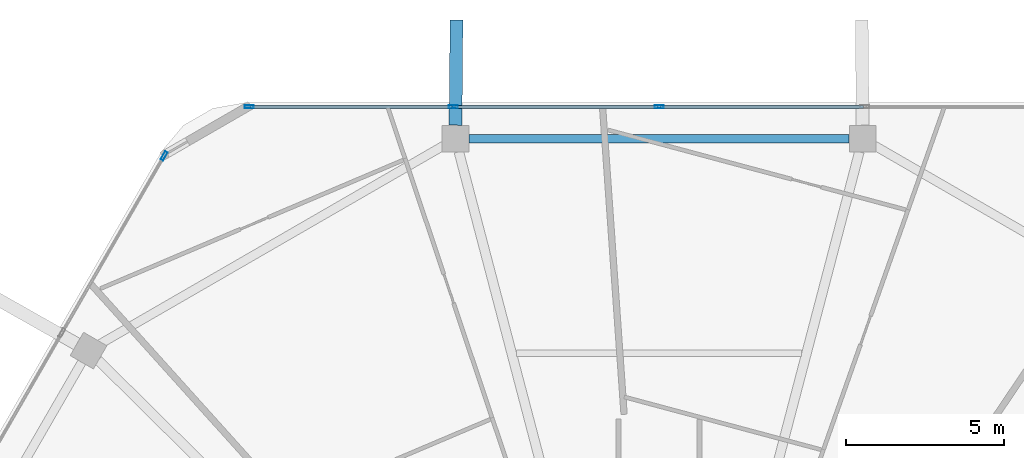
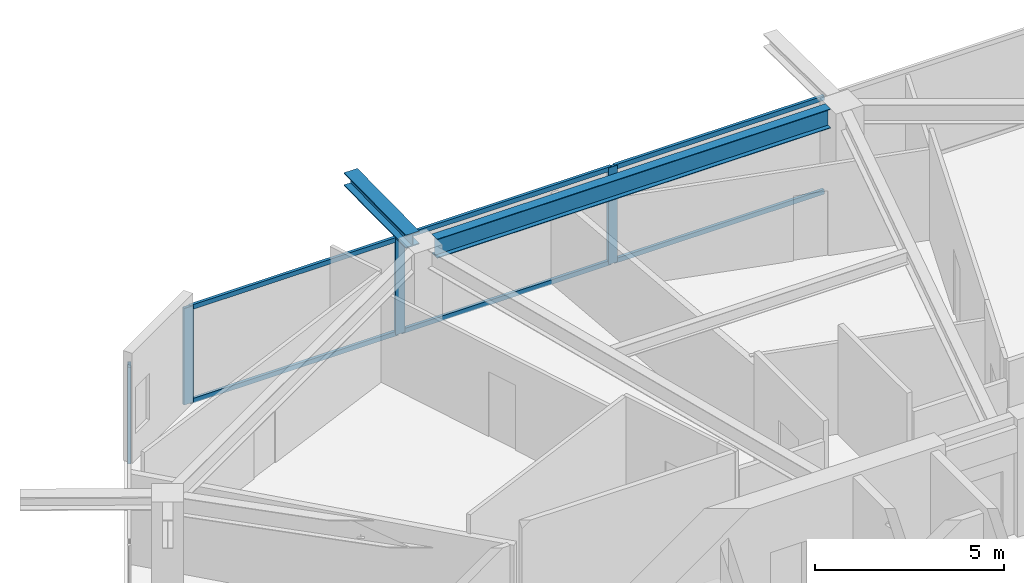
# One storey, part 13 of 26: 10 members, 2 beams, 2 elements without a shape of their own.
"""IFC4 building model written with IfcOpenShell, lengths in metres."""

import ifcopenshell
import ifcopenshell.guid

model = None  # the IFC model being written
_history = None  # IfcOwnerHistory: only IFC2X3 demands one
_inside = {}  # id of a spatial element -> (the spatial element, [elements in it])
_under = {}  # id of a project, library or spatial element -> (it, [spatial elements below it])
_declared = {}  # id of a project -> (the project, [libraries it declares])
_typed = {}  # id of a type object -> (the type object, [elements of that type])
_made_of = {}  # id of a material, layer set ... -> (it, [elements and type objects made of it])


def new_model(schema):
    """Start an empty IFC model of exactly this schema.

    Asked for "IFC4X3", IfcOpenShell would pick the latest addendum, in which some entities
    have other attributes; the version numbers below select the first issue.
    IFC2X3 requires an IfcOwnerHistory on every rooted entity: one is made here for all.
    """
    global model, _history
    if schema == "IFC4X3":
        model = ifcopenshell.file(schema_version=(4, 3, 0, 0))
    else:
        model = ifcopenshell.file(schema=schema)
    _inside.clear()
    _under.clear()
    _declared.clear()
    _typed.clear()
    _made_of.clear()
    _history = None
    if model.schema == "IFC2X3":
        org = make("IfcOrganization", Name="unknown")
        user = make(
            "IfcPersonAndOrganization",
            ThePerson=make("IfcPerson", FamilyName="unknown"),
            TheOrganization=org,
        )
        app = make(
            "IfcApplication",
            ApplicationDeveloper=org,
            Version="unknown",
            ApplicationFullName="unknown",
            ApplicationIdentifier="unknown",
        )
        _history = make(
            "IfcOwnerHistory",
            OwningUser=user,
            OwningApplication=app,
            ChangeAction="ADDED",
            CreationDate=0,
        )
    return model


def make(cls, **values):
    """One entity of the class cls with the attributes given. An attribute that is None is left unset."""
    return model.create_entity(
        cls, **{name: value for name, value in values.items() if value is not None}
    )


def rooted(cls, **values):
    """An entity with a GlobalId (a new one), such as an element, a storey or a relation."""
    return make(cls, GlobalId=ifcopenshell.guid.new(), OwnerHistory=_history, **values)


def si_unit(unit_type, name, prefix=None):
    """IfcSIUnit, for example si_unit("LENGTHUNIT", "METRE", prefix="MILLI")."""
    return make("IfcSIUnit", UnitType=unit_type, Prefix=prefix, Name=name)


def assignment(units):
    """IfcUnitAssignment: the units of a project."""
    return None if units is None else make("IfcUnitAssignment", Units=units)


def point(xyz):
    """IfcCartesianPoint."""
    return None if xyz is None else make("IfcCartesianPoint", Coordinates=xyz)


def direction(xyz):
    """IfcDirection."""
    return None if xyz is None else make("IfcDirection", DirectionRatios=xyz)


def frame(location, z_axis=None, x_axis=None):
    """IfcAxis2Placement3D, a coordinate frame: its origin and axes. An axis left out is left unset."""
    return make(
        "IfcAxis2Placement3D",
        Location=point(location),
        Axis=direction(z_axis),
        RefDirection=direction(x_axis),
    )


def frame_2d(location, x_axis=None):
    """IfcAxis2Placement2D, a coordinate frame in the plane: its origin and x axis."""
    return make(
        "IfcAxis2Placement2D", Location=point(location), RefDirection=direction(x_axis)
    )


def origin():
    """The frame at (0, 0, 0) with its axes left unset."""
    return frame((0.0, 0.0, 0.0))


def origin_2d():
    """The frame at (0, 0) in the plane with its x axis left unset."""
    return frame_2d((0.0, 0.0))


def place(relative_to, where):
    """IfcLocalPlacement: puts the frame where relative to a parent placement (None: the world)."""
    return make(
        "IfcLocalPlacement", PlacementRelTo=relative_to, RelativePlacement=where
    )


def context(
    kind, dimensions, precision=None, world=None, true_north=None, identifier=None
):
    """IfcGeometricRepresentationContext, for example the 3D "Model" context."""
    return make(
        "IfcGeometricRepresentationContext",
        ContextIdentifier=identifier,
        ContextType=kind,
        CoordinateSpaceDimension=dimensions,
        Precision=precision,
        WorldCoordinateSystem=world,
        TrueNorth=true_north,
    )


def subcontext(parent, identifier, kind, view, scale=None):
    """IfcGeometricRepresentationSubContext, for example "Body" below "Model"."""
    return make(
        "IfcGeometricRepresentationSubContext",
        ContextIdentifier=identifier,
        ContextType=kind,
        ParentContext=parent,
        TargetScale=scale,
        TargetView=view,
    )


def project(units=None, contexts=None):
    """IfcProject with its units and contexts."""
    return rooted(
        "IfcProject",
        Name="project",
        RepresentationContexts=contexts,
        UnitsInContext=assignment(units),
    )


def spatial(cls, under=None, at=None, **own):
    """A site, building, storey or space (cls), placed at a placement, below another one or the project."""
    s = rooted(cls, ObjectPlacement=at, **own)
    if under is not None:
        _under.setdefault(under.id(), (under, []))[1].append(s)
    return s


def profile(cls, at=None, kind="AREA", **sizes):
    """A parametric profile (cls). Its sizes go by their IFC names, for example OverallWidth=200.0."""
    return make(cls, ProfileType=kind, Position=at, **sizes)


def hollow_rectangle(**sizes):
    """IfcRectangleHollowProfileDef."""
    return profile("IfcRectangleHollowProfileDef", **sizes)


def i_section(**sizes):
    """IfcIShapeProfileDef."""
    return profile("IfcIShapeProfileDef", **sizes)


def extrude(swept, where, along, depth):
    """IfcExtrudedAreaSolid: the profile swept, set in the frame where, extruded along a direction by depth."""
    return make(
        "IfcExtrudedAreaSolid",
        SweptArea=swept,
        Position=where,
        ExtrudedDirection=direction(along),
        Depth=depth,
    )


def shape(context_of_items, identifier, shape_type, items):
    """IfcShapeRepresentation: the items that make up one representation, for example the "Body"."""
    return make(
        "IfcShapeRepresentation",
        ContextOfItems=context_of_items,
        RepresentationIdentifier=identifier,
        RepresentationType=shape_type,
        Items=items,
    )


def material(Name=None, Category=None):
    """IfcMaterial."""
    return make("IfcMaterial", Name=Name, Category=Category)


def material_profile(
    of_material, cross_section, Name=None, Category=None, Priority=None
):
    """IfcMaterialProfile: a cross section and its material."""
    return make(
        "IfcMaterialProfile",
        Name=Name,
        Material=of_material,
        Profile=cross_section,
        Priority=Priority,
        Category=Category,
    )


def profile_set(profiles, Name=None, composite=None):
    """IfcMaterialProfileSet."""
    return make(
        "IfcMaterialProfileSet",
        Name=Name,
        MaterialProfiles=profiles,
        CompositeProfile=composite,
    )


def made_of(thing, what):
    """Note that an element or type object is made of a material, layer set ...; save() writes the relation."""
    if what is not None:
        _made_of.setdefault(what.id(), (what, []))[1].append(thing)
    return thing


def type_object(cls, material=None, **own):
    """A type object (cls), such as IfcWallType, which elements share."""
    return made_of(rooted(cls, **own), material)


def element(
    cls,
    number,
    at=None,
    inside=None,
    cuts=None,
    type_object=None,
    material=None,
    context=None,
    identifier="Body",
    shape_type=None,
    held_by="IfcProductDefinitionShape",
    body=None,
    shapes=None,
    **own,
):
    """One element of the class cls, such as IfcWall. Its Tag is "e" and its number.

    at: its placement. inside: the storey or other place that contains it. cuts: it is an
    opening in that element (IfcRelVoidsElement). A single representation is given by context,
    identifier, shape_type and body (its items); several are given by shapes. held_by: the class
    of the entity that holds the representations. save() writes the other relations.
    """
    e = rooted(cls, Tag="e%d" % number, ObjectPlacement=at, **own)
    if body is not None:
        shapes = [shape(context, identifier, shape_type, body)]
    if shapes is not None:
        e.Representation = make(held_by, Representations=shapes)
    if inside is not None:
        _inside.setdefault(inside.id(), (inside, []))[1].append(e)
    if cuts is not None:
        rooted(
            "IfcRelVoidsElement", RelatingBuildingElement=cuts, RelatedOpeningElement=e
        )
    if type_object is not None:
        _typed.setdefault(type_object.id(), (type_object, []))[1].append(e)
    return made_of(e, material)


def aggregate(whole, parts):
    """IfcRelAggregates: a whole, such as a stair, and the parts it consists of."""
    return rooted("IfcRelAggregates", RelatingObject=whole, RelatedObjects=parts)


def save(model, path):
    """Write the relations noted so far, then the file.

    IfcRelAggregates (storeys below a building ...), IfcRelContainedInSpatialStructure (elements
    in a storey), IfcRelDefinesByType, IfcRelAssociatesMaterial and IfcRelDeclares: one each for
    every whole, place, type object, material and project.
    """
    for whole, parts in _under.values():
        aggregate(whole, parts)
    for where, things in _inside.values():
        rooted(
            "IfcRelContainedInSpatialStructure",
            RelatedElements=things,
            RelatingStructure=where,
        )
    for kind, things in _typed.values():
        rooted("IfcRelDefinesByType", RelatedObjects=things, RelatingType=kind)
    for what, things in _made_of.values():
        rooted("IfcRelAssociatesMaterial", RelatedObjects=things, RelatingMaterial=what)
    for by, libraries in _declared.values():
        rooted("IfcRelDeclares", RelatingContext=by, RelatedDefinitions=libraries)
    model.write(path)


model = new_model("IFC4")

# Units and contexts
model_context = context("Model", 3, precision=1e-05, world=origin(), true_north=direction((0.0, 1.0)))
body_context = subcontext(model_context, "Body", "Model", "MODEL_VIEW")
ifc_project = project(units=[si_unit("LENGTHUNIT", "METRE"), si_unit("AREAUNIT", "SQUARE_METRE"), si_unit("VOLUMEUNIT", "CUBIC_METRE"), si_unit("PLANEANGLEUNIT", "RADIAN"), si_unit("MASSUNIT", "GRAM", prefix="KILO")], contexts=[model_context])

# Site, building, storey
site_placement = place(None, origin())
site = spatial("IfcSite", under=ifc_project, at=site_placement, CompositionType="ELEMENT")
building_placement = place(site_placement, origin())
building = spatial("IfcBuilding", under=site, at=building_placement, Name="Zuhravey Tower", CompositionType="ELEMENT")
storey_placement = place(building_placement, frame((0.0, 0.0, 295.800048828125)))
storey = spatial("IfcBuildingStorey", under=building, at=storey_placement, Name="L75", CompositionType="ELEMENT", Elevation=295.800048828125)

# Curtain wall, member
ifc_material_1 = material(Name="Thermally broken anodised aluminium", Category="aluminium")
curtain_wall_type = type_object("IfcCurtainWallType", Name="Zone 3-4 High-Rise Curtain Wall CW4", PredefinedType="NOTDEFINED", material=ifc_material_1)
curtain_wall_1_placement = place(storey_placement, origin())
curtain_wall_1 = element("IfcCurtainWall", 1, at=curtain_wall_1_placement, inside=storey, type_object=curtain_wall_type, Name="L75 CW4 CW-L75-F3-1", PredefinedType="NOTDEFINED")
ifc_material_2 = material(Name="Anodised aluminium", Category="aluminium")
ifc_material_profile_1 = material_profile(ifc_material_2, hollow_rectangle(XDim=0.090087890625, YDim=0.284912109375, WallThickness=0.0048828125, at=origin_2d()), Name="ALU-RHS-90x285x5")
ifc_profile_set_1 = profile_set([ifc_material_profile_1], Name="Anodised aluminium")
member_type_1 = type_object("IfcMemberType", Name="Curtain-Wall Mullion 90x180", PredefinedType="MULLION", material=ifc_profile_set_1)
member_1_placement = place(storey_placement, frame((20.34521484375, 56.01220703125, 0.0), z_axis=(0.0, 0.0, 1.0), x_axis=(-0.866024851021, 0.500000957414, 0.0)))
member_1 = element("IfcMember", 2, at=member_1_placement, type_object=member_type_1, Name="CW4 mullion 5", PredefinedType="MULLION", context=body_context, shape_type="SweptSolid", body=[
    extrude(hollow_rectangle(XDim=0.090087890625, YDim=0.284912109375, WallThickness=0.0048828125, at=origin_2d()), origin(), (0.0, 0.0, 1.0), 3.1220703125),
])
aggregate(curtain_wall_1, [member_1])

# Curtain wall, members
curtain_wall_2_placement = place(storey_placement, origin())
curtain_wall_2 = element("IfcCurtainWall", 3, at=curtain_wall_2_placement, inside=storey, type_object=curtain_wall_type, Name="L75 CW4 CW-L75-F2-1", PredefinedType="NOTDEFINED")
member_2_placement = place(storey_placement, frame((23.0322265625, 57.563720703125, 0.0), z_axis=(0.0, 0.0, 1.0), x_axis=(0.0, 1.0, 0.0)))
member_2 = element("IfcMember", 4, at=member_2_placement, type_object=member_type_1, Name="CW4 mullion 1", PredefinedType="MULLION", context=body_context, shape_type="SweptSolid", body=[
    extrude(hollow_rectangle(XDim=0.090087890625, YDim=0.284912109375, WallThickness=0.0048828125, at=origin_2d()), origin(), (0.0, 0.0, 1.0), 3.1220703125),
])
member_3_placement = place(storey_placement, frame((29.49365234375, 57.563720703125, 0.0), z_axis=(0.0, 0.0, 1.0), x_axis=(0.0, 1.0, 0.0)))
member_3 = element("IfcMember", 5, at=member_3_placement, type_object=member_type_1, Name="CW4 mullion 2", PredefinedType="MULLION", context=body_context, shape_type="SweptSolid", body=[
    extrude(hollow_rectangle(XDim=0.090087890625, YDim=0.284912109375, WallThickness=0.0048828125, at=origin_2d()), origin(), (0.0, 0.0, 1.0), 3.1220703125),
])
member_4_placement = place(storey_placement, frame((36.0, 57.563720703125, 0.0), z_axis=(0.0, 0.0, 1.0), x_axis=(0.0, 1.0, 0.0)))
member_4 = element("IfcMember", 6, at=member_4_placement, type_object=member_type_1, Name="CW4 mullion 3", PredefinedType="MULLION", context=body_context, shape_type="SweptSolid", body=[
    extrude(hollow_rectangle(XDim=0.090087890625, YDim=0.284912109375, WallThickness=0.0048828125, at=origin_2d()), origin(), (0.0, 0.0, 1.0), 3.1220703125),
])
ifc_material_profile_2 = material_profile(ifc_material_2, hollow_rectangle(XDim=0.090087890625, YDim=0.14990234375, WallThickness=0.0048828125, at=origin_2d()), Name="ALU-RHS-90x150x5")
ifc_profile_set_2 = profile_set([ifc_material_profile_2], Name="Anodised aluminium")
member_type_2 = type_object("IfcMemberType", Name="Curtain-Wall Transom 90x150", PredefinedType="USERDEFINED", material=ifc_profile_set_2)
member_5_placement = place(storey_placement, frame((23.077392578125, 57.563720703125, 0.044921875), z_axis=(1.0, 0.0, 0.0), x_axis=(0.0, 1.0, 0.0)))
member_5 = element("IfcMember", 7, at=member_5_placement, type_object=member_type_2, Name="CW4 transom 1.1", ObjectType="TRANSOM", PredefinedType="USERDEFINED", context=body_context, shape_type="SweptSolid", body=[
    extrude(hollow_rectangle(XDim=0.090087890625, YDim=0.14990234375, WallThickness=0.0048828125, at=origin_2d()), origin(), (0.0, 0.0, 1.0), 6.371337890625),
])
member_6_placement = place(storey_placement, frame((23.077392578125, 57.563720703125, 3.076904296875), z_axis=(1.0, 0.0, 0.0), x_axis=(0.0, 1.0, 0.0)))
member_6 = element("IfcMember", 8, at=member_6_placement, type_object=member_type_2, Name="CW4 transom 1.2", ObjectType="TRANSOM", PredefinedType="USERDEFINED", context=body_context, shape_type="SweptSolid", body=[
    extrude(hollow_rectangle(XDim=0.090087890625, YDim=0.14990234375, WallThickness=0.0048828125, at=origin_2d()), origin(), (0.0, 0.0, 1.0), 6.371337890625),
])
member_7_placement = place(storey_placement, frame((29.53857421875, 57.563720703125, 0.044921875), z_axis=(1.0, 0.0, 0.0), x_axis=(0.0, 1.0, 0.0)))
member_7 = element("IfcMember", 9, at=member_7_placement, type_object=member_type_2, Name="CW4 transom 2.1", ObjectType="TRANSOM", PredefinedType="USERDEFINED", context=body_context, shape_type="SweptSolid", body=[
    extrude(hollow_rectangle(XDim=0.090087890625, YDim=0.14990234375, WallThickness=0.0048828125, at=origin_2d()), origin(), (0.0, 0.0, 1.0), 6.41650390625),
])
member_8_placement = place(storey_placement, frame((29.53857421875, 57.563720703125, 3.076904296875), z_axis=(1.0, 0.0, 0.0), x_axis=(0.0, 1.0, 0.0)))
member_8 = element("IfcMember", 10, at=member_8_placement, type_object=member_type_2, Name="CW4 transom 2.2", ObjectType="TRANSOM", PredefinedType="USERDEFINED", context=body_context, shape_type="SweptSolid", body=[
    extrude(hollow_rectangle(XDim=0.090087890625, YDim=0.14990234375, WallThickness=0.0048828125, at=origin_2d()), origin(), (0.0, 0.0, 1.0), 6.41650390625),
])
member_9_placement = place(storey_placement, frame((36.044921875, 57.563720703125, 0.044921875), z_axis=(1.0, 0.0, 0.0), x_axis=(0.0, 1.0, 0.0)))
member_9 = element("IfcMember", 11, at=member_9_placement, type_object=member_type_2, Name="CW4 transom 3.1", ObjectType="TRANSOM", PredefinedType="USERDEFINED", context=body_context, shape_type="SweptSolid", body=[
    extrude(hollow_rectangle(XDim=0.090087890625, YDim=0.14990234375, WallThickness=0.0048828125, at=origin_2d()), origin(), (0.0, 0.0, 1.0), 6.41650390625),
])
member_10_placement = place(storey_placement, frame((36.044921875, 57.563720703125, 3.076904296875), z_axis=(1.0, 0.0, 0.0), x_axis=(0.0, 1.0, 0.0)))
member_10 = element("IfcMember", 12, at=member_10_placement, type_object=member_type_2, Name="CW4 transom 3.2", ObjectType="TRANSOM", PredefinedType="USERDEFINED", context=body_context, shape_type="SweptSolid", body=[
    extrude(hollow_rectangle(XDim=0.090087890625, YDim=0.14990234375, WallThickness=0.0048828125, at=origin_2d()), origin(), (0.0, 0.0, 1.0), 6.41650390625),
])
aggregate(curtain_wall_2, [member_2, member_3, member_4, member_5, member_6, member_7, member_8, member_9, member_10])

# Beams
ifc_material_3 = material(Name="Steel SM460", Category="steel")
ifc_material_profile_3 = material_profile(ifc_material_3, i_section(OverallWidth=0.406982421875, OverallDepth=0.427978515625, WebThickness=0.02001953125, FlangeThickness=0.034912109375, at=origin_2d()), Name="H-428x407x20x35")
ifc_profile_set_3 = profile_set([ifc_material_profile_3], Name="Steel SM460")
beam_type_1 = type_object("IfcBeamType", Name="Exoskeleton Node Tie Beam H428x407", PredefinedType="BEAM", material=ifc_profile_set_3)
beam_1_placement = place(storey_placement, frame((29.56298828125, 56.982666015625, 3.3359375), z_axis=(0.00880829074, 0.999961206255, 0.0), x_axis=(-0.999961206255, 0.00880829074, 0.0)))
element("IfcBeam", 13, at=beam_1_placement, inside=storey, type_object=beam_type_1, Name="L75 Exoskeleton Node Tie NT1-04", PredefinedType="BEAM", context=body_context, shape_type="SweptSolid", body=[
    extrude(i_section(OverallWidth=0.406982421875, OverallDepth=0.427978515625, WebThickness=0.02001953125, FlangeThickness=0.034912109375, at=origin_2d()), origin(), (0.0, 0.0, 1.0), 3.326171875),
])
ifc_material_4 = material(Name="Steel SM355", Category="steel")
ifc_material_profile_4 = material_profile(ifc_material_4, i_section(OverallWidth=0.280029296875, OverallDepth=0.6201171875, WebThickness=0.011962890625, FlangeThickness=0.02001953125, at=origin_2d()), Name="H-620x280x12x20")
ifc_profile_set_4 = profile_set([ifc_material_profile_4], Name="Steel SM355")
beam_type_2 = type_object("IfcBeamType", Name="Perimeter Ring Beam H620x280", PredefinedType="BEAM", material=ifc_profile_set_4)
beam_2_placement = place(storey_placement, frame((42.012939453125, 56.5537109375, 3.239990234375), z_axis=(-1.0, 0.0, 0.0), x_axis=(0.0, -1.0, 0.0)))
element("IfcBeam", 14, at=beam_2_placement, inside=storey, type_object=beam_type_2, Name="L75 PB3 BM-L75-PB-03", PredefinedType="BEAM", context=body_context, shape_type="SweptSolid", body=[
    extrude(i_section(OverallWidth=0.280029296875, OverallDepth=0.6201171875, WebThickness=0.011962890625, FlangeThickness=0.02001953125, at=origin_2d()), origin(), (0.0, 0.0, 1.0), 12.02587890625),
])

save(model, "model.ifc")
